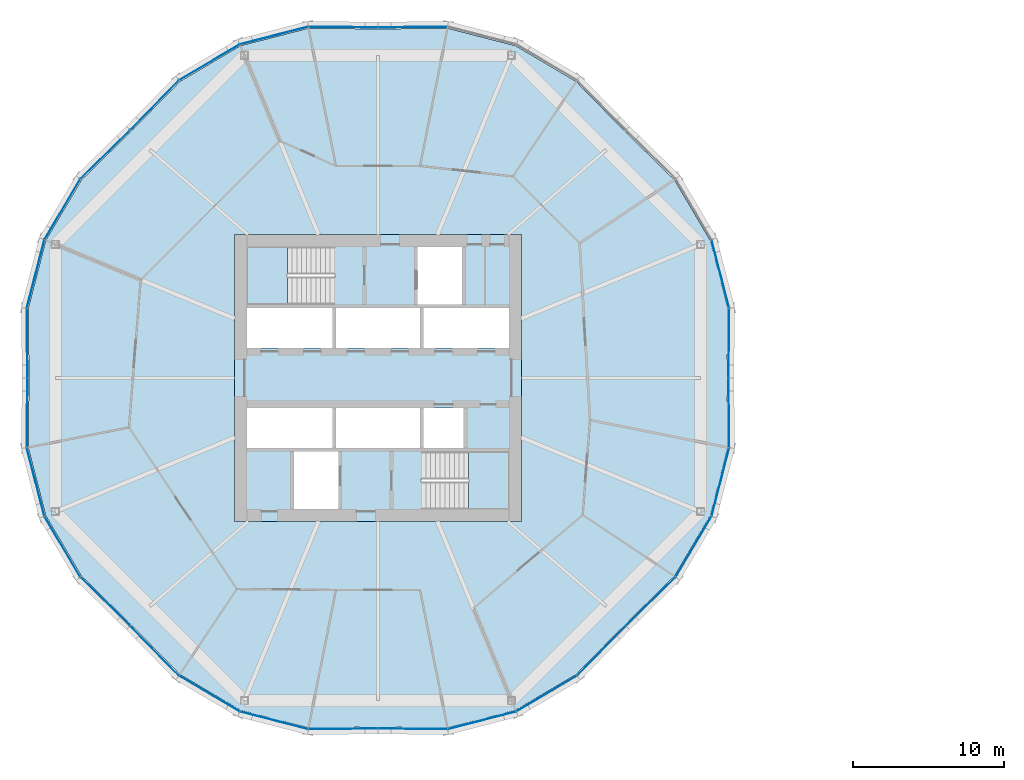
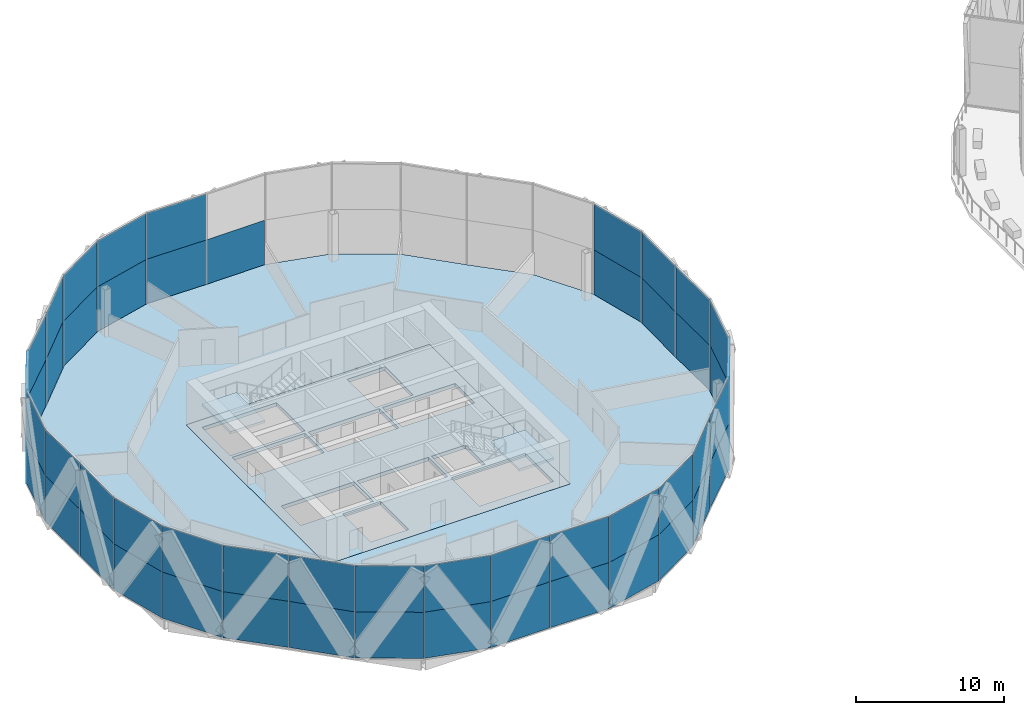
# One storey, part 18 of 31: 53 plates, 4 slabs, 10 elements without a shape of their own.
"""IFC4 building model written with IfcOpenShell, lengths in metres."""

from ifc_helpers import new_model, si_unit, direction, frame, origin, origin_2d, place, context, subcontext, project, spatial, polyline, rectangle, outline, extrude, material, layer, layer_set, type_object, element, aggregate, save


model = new_model("IFC4")

# Units and contexts
model_context = context("Model", 3, precision=1e-05, world=origin(), true_north=direction((0.0, 1.0)))
body_context = subcontext(model_context, "Body", "Model", "MODEL_VIEW")
ifc_project = project(units=[si_unit("LENGTHUNIT", "METRE"), si_unit("AREAUNIT", "SQUARE_METRE"), si_unit("VOLUMEUNIT", "CUBIC_METRE"), si_unit("PLANEANGLEUNIT", "RADIAN"), si_unit("MASSUNIT", "GRAM", prefix="KILO")], contexts=[model_context])

# Site, building, storey
site_placement = place(None, origin())
site = spatial("IfcSite", under=ifc_project, at=site_placement, CompositionType="ELEMENT")
building_placement = place(site_placement, origin())
building = spatial("IfcBuilding", under=site, at=building_placement, Name="Ogive Gate Towers", CompositionType="ELEMENT")
storey_placement = place(building_placement, frame((0.0, 0.0, 107.39990234375)))
storey = spatial("IfcBuildingStorey", under=building, at=storey_placement, Name="L25", CompositionType="ELEMENT", Elevation=107.39990234375)

# Slabs
ifc_material_1 = material(Name="Concrete C40/50", Category="concrete")
ifc_layer_1 = layer(ifc_material_1, 0.300048828125)
ifc_layer_set_1 = layer_set([ifc_layer_1], Name="Core slab C40/50 300 mm")
slab_type_1 = type_object("IfcSlabType", Name="Core slab C40/50 300 mm", PredefinedType="FLOOR", material=ifc_layer_set_1)
slab_1_placement = place(storey_placement, frame((0.0, 0.0, -0.2998046875)))
element("IfcSlab", 1, at=slab_1_placement, inside=storey, type_object=slab_type_1, Name="T1 L25 core slab", PredefinedType="FLOOR", context=body_context, shape_type="SweptSolid", body=[
    extrude(outline(polyline([(-26.5, 9.5), (-26.5, -9.5), (-45.5, -9.5), (-45.5, 9.5), (-26.5, 9.5)]), holes=[polyline([(-39.02490234375, 4.625), (-44.699951171875, 4.625), (-44.699951171875, 2.0), (-39.02490234375, 2.0), (-39.02490234375, 4.625)]), polyline([(-33.22509765625, 2.0), (-33.22509765625, 4.625), (-38.77490234375, 4.625), (-38.77490234375, 2.0), (-33.22509765625, 2.0)]), polyline([(-32.97509765625, 2.0), (-27.300048828125, 2.0), (-27.300048828125, 4.625), (-32.97509765625, 4.625), (-32.97509765625, 2.0)]), polyline([(-44.699951171875, -2.0), (-44.699951171875, -4.625), (-39.02490234375, -4.625), (-39.02490234375, -2.0), (-44.699951171875, -2.0)]), polyline([(-33.22509765625, -2.0), (-38.77490234375, -2.0), (-38.77490234375, -4.625), (-33.22509765625, -4.625), (-33.22509765625, -2.0)]), polyline([(-30.324951171875, -4.625), (-30.324951171875, -2.0), (-32.97509765625, -2.0), (-32.97509765625, -4.625), (-30.324951171875, -4.625)]), polyline([(-33.375, 4.875), (-30.425048828125, 4.875), (-30.425048828125, 8.699951171875), (-33.375, 8.699951171875), (-33.375, 4.875)]), polyline([(-41.574951171875, -4.875), (-41.574951171875, -8.699951171875), (-38.625, -8.699951171875), (-38.625, -4.875), (-41.574951171875, -4.875)]), polyline([(-44.699951171875, 4.875), (-38.885009765625, 4.875), (-38.885009765625, 8.699951171875), (-44.699951171875, 8.699951171875), (-44.699951171875, 4.875)]), polyline([(-27.300048828125, -8.699951171875), (-27.300048828125, -4.875), (-33.114990234375, -4.875), (-33.114990234375, -8.699951171875), (-27.300048828125, -8.699951171875)])]), origin(), (0.0, 0.0, 1.0), 0.2998046875),
])
ifc_material_2 = material(Name="Concrete C35/45", Category="concrete")
ifc_layer_2 = layer(ifc_material_2, 0.300048828125)
ifc_layer_set_2 = layer_set([ifc_layer_2], Name="Floor slab 300")
slab_type_2 = type_object("IfcSlabType", Name="Floor slab 300", PredefinedType="FLOOR", material=ifc_layer_set_2)
slab_2_placement = place(storey_placement, frame((0.0, 0.0, -0.2998046875)))
element("IfcSlab", 2, at=slab_2_placement, inside=storey, type_object=slab_type_2, Name="T1/L25/SSL001", PredefinedType="FLOOR", context=body_context, shape_type="SweptSolid", body=[
    extrude(outline(polyline([(-12.814208984375, -4.61181640625), (-12.860107421875, 0.0), (-12.814208984375, 4.61181640625), (-13.974609375, 9.123291015625), (-16.343994140625, 13.1337890625), (-19.637451171875, 16.362548828125), (-22.8662109375, 19.656005859375), (-26.876708984375, 22.025390625), (-31.38818359375, 23.185791015625), (-36.0, 23.139892578125), (-40.61181640625, 23.185791015625), (-45.123291015625, 22.025390625), (-49.1337890625, 19.656005859375), (-52.362548828125, 16.362548828125), (-55.656005859375, 13.1337890625), (-58.025390625, 9.123291015625), (-59.185791015625, 4.61181640625), (-59.139892578125, 0.0), (-59.185791015625, -4.61181640625), (-58.025390625, -9.123291015625), (-55.656005859375, -13.1337890625), (-52.362548828125, -16.362548828125), (-49.1337890625, -19.656005859375), (-45.123291015625, -22.025390625), (-40.61181640625, -23.185791015625), (-36.0, -23.139892578125), (-31.38818359375, -23.185791015625), (-26.876708984375, -22.025390625), (-22.8662109375, -19.656005859375), (-19.637451171875, -16.362548828125), (-16.343994140625, -13.1337890625), (-13.974609375, -9.123291015625), (-12.814208984375, -4.61181640625)]), holes=[polyline([(-26.5, -9.5), (-45.5, -9.5), (-45.5, 9.5), (-26.5, 9.5), (-26.5, -9.5)])]), origin(), (0.0, 0.0, 1.0), 0.2998046875),
])

# Stair, slab
stair_type = type_object("IfcStairType", Name="Escape stair 1840 wide", PredefinedType="HALF_TURN_STAIR", material=ifc_material_1)
stair_1_placement = place(storey_placement, origin())
stair_1 = element("IfcStair", 3, at=stair_1_placement, inside=storey, type_object=stair_type, Name="L25 Escape stair 1", PredefinedType="HALF_TURN_STAIR")
ifc_layer_3 = layer(ifc_material_1, 0.199951171875)
ifc_layer_set_3 = layer_set([ifc_layer_3], Name="Stair landing 200 mm")
slab_type_3 = type_object("IfcSlabType", Name="Stair landing 200 mm", PredefinedType="LANDING", material=ifc_layer_set_3)
slab_3_placement = place(storey_placement, frame((0.0, 0.0, 1.75)))
slab_3 = element("IfcSlab", 4, at=slab_3_placement, type_object=slab_type_3, Name="ST1 landing 1", PredefinedType="LANDING", context=body_context, shape_type="SweptSolid", body=[
    extrude(outline(polyline([(-42.00146484375, 8.699951171875), (-44.699951171875, 8.699951171875), (-44.699951171875, 4.875), (-42.00146484375, 4.875), (-42.00146484375, 8.699951171875)])), origin(), (0.0, 0.0, 1.0), 0.2001953125),
])
aggregate(stair_1, [slab_3])

stair_2_placement = place(storey_placement, origin())
stair_2 = element("IfcStair", 5, at=stair_2_placement, inside=storey, type_object=stair_type, Name="L25 Escape stair 2", PredefinedType="HALF_TURN_STAIR")
slab_4_placement = place(storey_placement, frame((0.0, 0.0, 1.75)))
slab_4 = element("IfcSlab", 6, at=slab_4_placement, type_object=slab_type_3, Name="ST2 landing 1", PredefinedType="LANDING", context=body_context, shape_type="SweptSolid", body=[
    extrude(outline(polyline([(-29.99853515625, -8.699951171875), (-27.300048828125, -8.699951171875), (-27.300048828125, -4.875), (-29.99853515625, -4.875), (-29.99853515625, -8.699951171875)])), origin(), (0.0, 0.0, 1.0), 0.2001953125),
])
aggregate(stair_2, [slab_4])

# Curtain wall, plates
ifc_material_3 = material(Name="Pale metal aluminium", Category="aluminium")
curtain_wall_type = type_object("IfcCurtainWallType", Name="Tower unitised wall, low zone", PredefinedType="NOTDEFINED", material=ifc_material_3)
curtain_wall_1_placement = place(storey_placement, origin())
curtain_wall_1 = element("IfcCurtainWall", 7, at=curtain_wall_1_placement, inside=storey, type_object=curtain_wall_type, Name="CW1 T1 ECW01", PredefinedType="NOTDEFINED")
ifc_material_4 = material(Name="Clear glass", Category="glass")
ifc_layer_4 = layer(ifc_material_4, 0.028076171875)
ifc_layer_set_4 = layer_set([ifc_layer_4], Name="Tower unitised wall, low zone glass panel")
plate_type = type_object("IfcPlateType", Name="Tower unitised wall, low zone glass panel", PredefinedType="CURTAIN_PANEL", material=ifc_layer_set_4)
plate_1_placement = place(storey_placement, frame((-12.737060546875, 2.31005859375, -0.2041015625), z_axis=(0.0, 0.0, 1.0), x_axis=(0.009930760208, 0.999950688785, 0.0)))
plate_1 = element("IfcPlate", 8, at=plate_1_placement, type_object=plate_type, Name="CW1 glass panel", PredefinedType="CURTAIN_PANEL", context=body_context, shape_type="SweptSolid", body=[
    extrude(rectangle(XDim=4.56640625, YDim=0.028076171875, at=origin_2d()), origin(), (0.0, 0.0, 1.0), 3.803955078125),
])
plate_2_placement = place(storey_placement, frame((-12.737060546875, 2.31005859375, 3.60009765625), z_axis=(0.0, 0.0, 1.0), x_axis=(0.009930760208, 0.999950688785, 0.0)))
plate_2 = element("IfcPlate", 9, at=plate_2_placement, type_object=plate_type, Name="CW1 glass panel", PredefinedType="CURTAIN_PANEL", context=body_context, shape_type="SweptSolid", body=[
    extrude(rectangle(XDim=4.56640625, YDim=0.028076171875, at=origin_2d()), origin(), (0.0, 0.0, 1.0), 3.803955078125),
])
plate_3_placement = place(storey_placement, frame((-13.297607421875, 6.892822265625, -0.2041015625), z_axis=(0.0, 0.0, 1.0), x_axis=(-0.249129390641, 0.968470209515, 0.0)))
plate_3 = element("IfcPlate", 10, at=plate_3_placement, type_object=plate_type, Name="CW1 glass panel", PredefinedType="CURTAIN_PANEL", context=body_context, shape_type="SweptSolid", body=[
    extrude(rectangle(XDim=4.62353515625, YDim=0.028076171875, at=origin_2d()), origin(), (0.0, 0.0, 1.0), 3.803955078125),
])
plate_4_placement = place(storey_placement, frame((-13.297607421875, 6.892822265625, 3.60009765625), z_axis=(0.0, 0.0, 1.0), x_axis=(-0.249129390641, 0.968470209515, 0.0)))
plate_4 = element("IfcPlate", 11, at=plate_4_placement, type_object=plate_type, Name="CW1 glass panel", PredefinedType="CURTAIN_PANEL", context=body_context, shape_type="SweptSolid", body=[
    extrude(rectangle(XDim=4.62353515625, YDim=0.028076171875, at=origin_2d()), origin(), (0.0, 0.0, 1.0), 3.803955078125),
])
aggregate(curtain_wall_1, [plate_1, plate_2, plate_3, plate_4])

# Curtain wall, plate
curtain_wall_2_placement = place(storey_placement, origin())
curtain_wall_2 = element("IfcCurtainWall", 12, at=curtain_wall_2_placement, inside=storey, type_object=curtain_wall_type, Name="CW1 T1 ECW02", PredefinedType="NOTDEFINED")
plate_5_placement = place(storey_placement, frame((-33.68994140625, 23.262939453125, -0.2041015625), z_axis=(0.0, 0.0, 1.0), x_axis=(-0.999950688785, -0.009930760208, 0.0)))
plate_5 = element("IfcPlate", 13, at=plate_5_placement, type_object=plate_type, Name="CW1 glass panel", PredefinedType="CURTAIN_PANEL", context=body_context, shape_type="SweptSolid", body=[
    extrude(rectangle(XDim=4.56640625, YDim=0.028076171875, at=origin_2d()), origin(), (0.0, 0.0, 1.0), 3.803955078125),
])
aggregate(curtain_wall_2, [plate_5])

# Curtain wall, plates
curtain_wall_3_placement = place(storey_placement, origin())
curtain_wall_3 = element("IfcCurtainWall", 14, at=curtain_wall_3_placement, inside=storey, type_object=curtain_wall_type, Name="CW1 T1 ECW03", PredefinedType="NOTDEFINED")
plate_6_placement = place(storey_placement, frame((-38.31005859375, 23.262939453125, -0.2041015625), z_axis=(0.0, 0.0, 1.0), x_axis=(-0.999950688785, 0.009930760208, 0.0)))
plate_6 = element("IfcPlate", 15, at=plate_6_placement, type_object=plate_type, Name="CW1 glass panel", PredefinedType="CURTAIN_PANEL", context=body_context, shape_type="SweptSolid", body=[
    extrude(rectangle(XDim=4.56640625, YDim=0.028076171875, at=origin_2d()), origin(), (0.0, 0.0, 1.0), 3.803955078125),
])
plate_7_placement = place(storey_placement, frame((-38.31005859375, 23.262939453125, 3.60009765625), z_axis=(0.0, 0.0, 1.0), x_axis=(-0.999950688785, 0.009930760208, 0.0)))
plate_7 = element("IfcPlate", 16, at=plate_7_placement, type_object=plate_type, Name="CW1 glass panel", PredefinedType="CURTAIN_PANEL", context=body_context, shape_type="SweptSolid", body=[
    extrude(rectangle(XDim=4.56640625, YDim=0.028076171875, at=origin_2d()), origin(), (0.0, 0.0, 1.0), 3.803955078125),
])
plate_8_placement = place(storey_placement, frame((-42.892822265625, 22.702392578125, -0.2041015625), z_axis=(0.0, 0.0, 1.0), x_axis=(-0.968470209515, -0.249129390641, 0.0)))
plate_8 = element("IfcPlate", 17, at=plate_8_placement, type_object=plate_type, Name="CW1 glass panel", PredefinedType="CURTAIN_PANEL", context=body_context, shape_type="SweptSolid", body=[
    extrude(rectangle(XDim=4.62353515625, YDim=0.028076171875, at=origin_2d()), origin(), (0.0, 0.0, 1.0), 3.803955078125),
])
plate_9_placement = place(storey_placement, frame((-42.892822265625, 22.702392578125, 3.60009765625), z_axis=(0.0, 0.0, 1.0), x_axis=(-0.968470209515, -0.249129390641, 0.0)))
plate_9 = element("IfcPlate", 18, at=plate_9_placement, type_object=plate_type, Name="CW1 glass panel", PredefinedType="CURTAIN_PANEL", context=body_context, shape_type="SweptSolid", body=[
    extrude(rectangle(XDim=4.62353515625, YDim=0.028076171875, at=origin_2d()), origin(), (0.0, 0.0, 1.0), 3.803955078125),
])
plate_10_placement = place(storey_placement, frame((-47.178955078125, 20.927001953125, -0.2041015625), z_axis=(0.0, 0.0, 1.0), x_axis=(-0.860972934041, -0.508650771011, 0.0)))
plate_10 = element("IfcPlate", 19, at=plate_10_placement, type_object=plate_type, Name="CW1 glass panel", PredefinedType="CURTAIN_PANEL", context=body_context, shape_type="SweptSolid", body=[
    extrude(rectangle(XDim=4.623779296875, YDim=0.028076171875, at=origin_2d()), origin(), (0.0, 0.0, 1.0), 3.803955078125),
])
plate_11_placement = place(storey_placement, frame((-47.178955078125, 20.927001953125, 3.60009765625), z_axis=(0.0, 0.0, 1.0), x_axis=(-0.860972934041, -0.508650771011, 0.0)))
plate_11 = element("IfcPlate", 20, at=plate_11_placement, type_object=plate_type, Name="CW1 glass panel", PredefinedType="CURTAIN_PANEL", context=body_context, shape_type="SweptSolid", body=[
    extrude(rectangle(XDim=4.623779296875, YDim=0.028076171875, at=origin_2d()), origin(), (0.0, 0.0, 1.0), 3.803955078125),
])
plate_12_placement = place(storey_placement, frame((-50.81591796875, 18.0830078125, -0.2041015625), z_axis=(0.0, 0.0, 1.0), x_axis=(-0.700062268192, -0.714081802495, 0.0)))
plate_12 = element("IfcPlate", 21, at=plate_12_placement, type_object=plate_type, Name="CW1 glass panel", PredefinedType="CURTAIN_PANEL", context=body_context, shape_type="SweptSolid", body=[
    extrude(rectangle(XDim=4.56640625, YDim=0.028076171875, at=origin_2d()), origin(), (0.0, 0.0, 1.0), 3.803955078125),
])
plate_13_placement = place(storey_placement, frame((-50.81591796875, 18.0830078125, 3.60009765625), z_axis=(0.0, 0.0, 1.0), x_axis=(-0.700062268192, -0.714081802495, 0.0)))
plate_13 = element("IfcPlate", 22, at=plate_13_placement, type_object=plate_type, Name="CW1 glass panel", PredefinedType="CURTAIN_PANEL", context=body_context, shape_type="SweptSolid", body=[
    extrude(rectangle(XDim=4.56640625, YDim=0.028076171875, at=origin_2d()), origin(), (0.0, 0.0, 1.0), 3.803955078125),
])
aggregate(curtain_wall_3, [plate_6, plate_7, plate_8, plate_9, plate_10, plate_11, plate_12, plate_13])

curtain_wall_4_placement = place(storey_placement, origin())
curtain_wall_4 = element("IfcCurtainWall", 23, at=curtain_wall_4_placement, inside=storey, type_object=curtain_wall_type, Name="CW1 T1 ECW04", PredefinedType="NOTDEFINED")
plate_14_placement = place(storey_placement, frame((-54.0830078125, 14.81591796875, -0.2041015625), z_axis=(0.0, 0.0, 1.0), x_axis=(-0.714081802495, -0.700062268192, 0.0)))
plate_14 = element("IfcPlate", 24, at=plate_14_placement, type_object=plate_type, Name="CW1 glass panel", PredefinedType="CURTAIN_PANEL", context=body_context, shape_type="SweptSolid", body=[
    extrude(rectangle(XDim=4.56640625, YDim=0.028076171875, at=origin_2d()), origin(), (0.0, 0.0, 1.0), 3.803955078125),
])
plate_15_placement = place(storey_placement, frame((-54.0830078125, 14.81591796875, 3.60009765625), z_axis=(0.0, 0.0, 1.0), x_axis=(-0.714081802495, -0.700062268192, 0.0)))
plate_15 = element("IfcPlate", 25, at=plate_15_placement, type_object=plate_type, Name="CW1 glass panel", PredefinedType="CURTAIN_PANEL", context=body_context, shape_type="SweptSolid", body=[
    extrude(rectangle(XDim=4.56640625, YDim=0.028076171875, at=origin_2d()), origin(), (0.0, 0.0, 1.0), 3.803955078125),
])
plate_16_placement = place(storey_placement, frame((-56.927001953125, 11.178955078125, -0.2041015625), z_axis=(0.0, 0.0, 1.0), x_axis=(-0.508650771011, -0.860972934041, 0.0)))
plate_16 = element("IfcPlate", 26, at=plate_16_placement, type_object=plate_type, Name="CW1 glass panel", PredefinedType="CURTAIN_PANEL", context=body_context, shape_type="SweptSolid", body=[
    extrude(rectangle(XDim=4.623779296875, YDim=0.028076171875, at=origin_2d()), origin(), (0.0, 0.0, 1.0), 3.803955078125),
])
plate_17_placement = place(storey_placement, frame((-56.927001953125, 11.178955078125, 3.60009765625), z_axis=(0.0, 0.0, 1.0), x_axis=(-0.508650771011, -0.860972934041, 0.0)))
plate_17 = element("IfcPlate", 27, at=plate_17_placement, type_object=plate_type, Name="CW1 glass panel", PredefinedType="CURTAIN_PANEL", context=body_context, shape_type="SweptSolid", body=[
    extrude(rectangle(XDim=4.623779296875, YDim=0.028076171875, at=origin_2d()), origin(), (0.0, 0.0, 1.0), 3.803955078125),
])
plate_18_placement = place(storey_placement, frame((-58.702392578125, 6.892822265625, -0.2041015625), z_axis=(0.0, 0.0, 1.0), x_axis=(-0.249129390641, -0.968470209515, 0.0)))
plate_18 = element("IfcPlate", 28, at=plate_18_placement, type_object=plate_type, Name="CW1 glass panel", PredefinedType="CURTAIN_PANEL", context=body_context, shape_type="SweptSolid", body=[
    extrude(rectangle(XDim=4.62353515625, YDim=0.028076171875, at=origin_2d()), origin(), (0.0, 0.0, 1.0), 3.803955078125),
])
plate_19_placement = place(storey_placement, frame((-58.702392578125, 6.892822265625, 3.60009765625), z_axis=(0.0, 0.0, 1.0), x_axis=(-0.249129390641, -0.968470209515, 0.0)))
plate_19 = element("IfcPlate", 29, at=plate_19_placement, type_object=plate_type, Name="CW1 glass panel", PredefinedType="CURTAIN_PANEL", context=body_context, shape_type="SweptSolid", body=[
    extrude(rectangle(XDim=4.62353515625, YDim=0.028076171875, at=origin_2d()), origin(), (0.0, 0.0, 1.0), 3.803955078125),
])
plate_20_placement = place(storey_placement, frame((-59.262939453125, 2.31005859375, -0.2041015625), z_axis=(0.0, 0.0, 1.0), x_axis=(0.009930760208, -0.999950688785, 0.0)))
plate_20 = element("IfcPlate", 30, at=plate_20_placement, type_object=plate_type, Name="CW1 glass panel", PredefinedType="CURTAIN_PANEL", context=body_context, shape_type="SweptSolid", body=[
    extrude(rectangle(XDim=4.56640625, YDim=0.028076171875, at=origin_2d()), origin(), (0.0, 0.0, 1.0), 3.803955078125),
])
plate_21_placement = place(storey_placement, frame((-59.262939453125, 2.31005859375, 3.60009765625), z_axis=(0.0, 0.0, 1.0), x_axis=(0.009930760208, -0.999950688785, 0.0)))
plate_21 = element("IfcPlate", 31, at=plate_21_placement, type_object=plate_type, Name="CW1 glass panel", PredefinedType="CURTAIN_PANEL", context=body_context, shape_type="SweptSolid", body=[
    extrude(rectangle(XDim=4.56640625, YDim=0.028076171875, at=origin_2d()), origin(), (0.0, 0.0, 1.0), 3.803955078125),
])
aggregate(curtain_wall_4, [plate_14, plate_15, plate_16, plate_17, plate_18, plate_19, plate_20, plate_21])

curtain_wall_5_placement = place(storey_placement, origin())
curtain_wall_5 = element("IfcCurtainWall", 32, at=curtain_wall_5_placement, inside=storey, type_object=curtain_wall_type, Name="CW1 T1 ECW05", PredefinedType="NOTDEFINED")
plate_22_placement = place(storey_placement, frame((-59.262939453125, -2.31005859375, -0.2041015625), z_axis=(0.0, 0.0, 1.0), x_axis=(-0.009930760208, -0.999950688785, 0.0)))
plate_22 = element("IfcPlate", 33, at=plate_22_placement, type_object=plate_type, Name="CW1 glass panel", PredefinedType="CURTAIN_PANEL", context=body_context, shape_type="SweptSolid", body=[
    extrude(rectangle(XDim=4.56640625, YDim=0.028076171875, at=origin_2d()), origin(), (0.0, 0.0, 1.0), 3.803955078125),
])
plate_23_placement = place(storey_placement, frame((-59.262939453125, -2.31005859375, 3.60009765625), z_axis=(0.0, 0.0, 1.0), x_axis=(-0.009930760208, -0.999950688785, 0.0)))
plate_23 = element("IfcPlate", 34, at=plate_23_placement, type_object=plate_type, Name="CW1 glass panel", PredefinedType="CURTAIN_PANEL", context=body_context, shape_type="SweptSolid", body=[
    extrude(rectangle(XDim=4.56640625, YDim=0.028076171875, at=origin_2d()), origin(), (0.0, 0.0, 1.0), 3.803955078125),
])
plate_24_placement = place(storey_placement, frame((-58.702392578125, -6.892822265625, -0.2041015625), z_axis=(0.0, 0.0, 1.0), x_axis=(0.249129390641, -0.968470209515, 0.0)))
plate_24 = element("IfcPlate", 35, at=plate_24_placement, type_object=plate_type, Name="CW1 glass panel", PredefinedType="CURTAIN_PANEL", context=body_context, shape_type="SweptSolid", body=[
    extrude(rectangle(XDim=4.62353515625, YDim=0.028076171875, at=origin_2d()), origin(), (0.0, 0.0, 1.0), 3.803955078125),
])
plate_25_placement = place(storey_placement, frame((-58.702392578125, -6.892822265625, 3.60009765625), z_axis=(0.0, 0.0, 1.0), x_axis=(0.249129390641, -0.968470209515, 0.0)))
plate_25 = element("IfcPlate", 36, at=plate_25_placement, type_object=plate_type, Name="CW1 glass panel", PredefinedType="CURTAIN_PANEL", context=body_context, shape_type="SweptSolid", body=[
    extrude(rectangle(XDim=4.62353515625, YDim=0.028076171875, at=origin_2d()), origin(), (0.0, 0.0, 1.0), 3.803955078125),
])
plate_26_placement = place(storey_placement, frame((-56.927001953125, -11.178955078125, -0.2041015625), z_axis=(0.0, 0.0, 1.0), x_axis=(0.508650771011, -0.860972934041, 0.0)))
plate_26 = element("IfcPlate", 37, at=plate_26_placement, type_object=plate_type, Name="CW1 glass panel", PredefinedType="CURTAIN_PANEL", context=body_context, shape_type="SweptSolid", body=[
    extrude(rectangle(XDim=4.623779296875, YDim=0.028076171875, at=origin_2d()), origin(), (0.0, 0.0, 1.0), 3.803955078125),
])
plate_27_placement = place(storey_placement, frame((-56.927001953125, -11.178955078125, 3.60009765625), z_axis=(0.0, 0.0, 1.0), x_axis=(0.508650771011, -0.860972934041, 0.0)))
plate_27 = element("IfcPlate", 38, at=plate_27_placement, type_object=plate_type, Name="CW1 glass panel", PredefinedType="CURTAIN_PANEL", context=body_context, shape_type="SweptSolid", body=[
    extrude(rectangle(XDim=4.623779296875, YDim=0.028076171875, at=origin_2d()), origin(), (0.0, 0.0, 1.0), 3.803955078125),
])
plate_28_placement = place(storey_placement, frame((-54.0830078125, -14.81591796875, -0.2041015625), z_axis=(0.0, 0.0, 1.0), x_axis=(0.714081802495, -0.700062268192, 0.0)))
plate_28 = element("IfcPlate", 39, at=plate_28_placement, type_object=plate_type, Name="CW1 glass panel", PredefinedType="CURTAIN_PANEL", context=body_context, shape_type="SweptSolid", body=[
    extrude(rectangle(XDim=4.56640625, YDim=0.028076171875, at=origin_2d()), origin(), (0.0, 0.0, 1.0), 3.803955078125),
])
plate_29_placement = place(storey_placement, frame((-54.0830078125, -14.81591796875, 3.60009765625), z_axis=(0.0, 0.0, 1.0), x_axis=(0.714081802495, -0.700062268192, 0.0)))
plate_29 = element("IfcPlate", 40, at=plate_29_placement, type_object=plate_type, Name="CW1 glass panel", PredefinedType="CURTAIN_PANEL", context=body_context, shape_type="SweptSolid", body=[
    extrude(rectangle(XDim=4.56640625, YDim=0.028076171875, at=origin_2d()), origin(), (0.0, 0.0, 1.0), 3.803955078125),
])
aggregate(curtain_wall_5, [plate_22, plate_23, plate_24, plate_25, plate_26, plate_27, plate_28, plate_29])

curtain_wall_6_placement = place(storey_placement, origin())
curtain_wall_6 = element("IfcCurtainWall", 41, at=curtain_wall_6_placement, inside=storey, type_object=curtain_wall_type, Name="CW1 T1 ECW06", PredefinedType="NOTDEFINED")
plate_30_placement = place(storey_placement, frame((-50.81591796875, -18.0830078125, -0.2041015625), z_axis=(0.0, 0.0, 1.0), x_axis=(0.700062268192, -0.714081802495, 0.0)))
plate_30 = element("IfcPlate", 42, at=plate_30_placement, type_object=plate_type, Name="CW1 glass panel", PredefinedType="CURTAIN_PANEL", context=body_context, shape_type="SweptSolid", body=[
    extrude(rectangle(XDim=4.56640625, YDim=0.028076171875, at=origin_2d()), origin(), (0.0, 0.0, 1.0), 3.803955078125),
])
plate_31_placement = place(storey_placement, frame((-50.81591796875, -18.0830078125, 3.60009765625), z_axis=(0.0, 0.0, 1.0), x_axis=(0.700062268192, -0.714081802495, 0.0)))
plate_31 = element("IfcPlate", 43, at=plate_31_placement, type_object=plate_type, Name="CW1 glass panel", PredefinedType="CURTAIN_PANEL", context=body_context, shape_type="SweptSolid", body=[
    extrude(rectangle(XDim=4.56640625, YDim=0.028076171875, at=origin_2d()), origin(), (0.0, 0.0, 1.0), 3.803955078125),
])
plate_32_placement = place(storey_placement, frame((-47.178955078125, -20.927001953125, -0.2041015625), z_axis=(0.0, 0.0, 1.0), x_axis=(0.860972934041, -0.508650771011, 0.0)))
plate_32 = element("IfcPlate", 44, at=plate_32_placement, type_object=plate_type, Name="CW1 glass panel", PredefinedType="CURTAIN_PANEL", context=body_context, shape_type="SweptSolid", body=[
    extrude(rectangle(XDim=4.623779296875, YDim=0.028076171875, at=origin_2d()), origin(), (0.0, 0.0, 1.0), 3.803955078125),
])
plate_33_placement = place(storey_placement, frame((-47.178955078125, -20.927001953125, 3.60009765625), z_axis=(0.0, 0.0, 1.0), x_axis=(0.860972934041, -0.508650771011, 0.0)))
plate_33 = element("IfcPlate", 45, at=plate_33_placement, type_object=plate_type, Name="CW1 glass panel", PredefinedType="CURTAIN_PANEL", context=body_context, shape_type="SweptSolid", body=[
    extrude(rectangle(XDim=4.623779296875, YDim=0.028076171875, at=origin_2d()), origin(), (0.0, 0.0, 1.0), 3.803955078125),
])
plate_34_placement = place(storey_placement, frame((-42.892822265625, -22.702392578125, -0.2041015625), z_axis=(0.0, 0.0, 1.0), x_axis=(0.968470209515, -0.249129390641, 0.0)))
plate_34 = element("IfcPlate", 46, at=plate_34_placement, type_object=plate_type, Name="CW1 glass panel", PredefinedType="CURTAIN_PANEL", context=body_context, shape_type="SweptSolid", body=[
    extrude(rectangle(XDim=4.62353515625, YDim=0.028076171875, at=origin_2d()), origin(), (0.0, 0.0, 1.0), 3.803955078125),
])
plate_35_placement = place(storey_placement, frame((-42.892822265625, -22.702392578125, 3.60009765625), z_axis=(0.0, 0.0, 1.0), x_axis=(0.968470209515, -0.249129390641, 0.0)))
plate_35 = element("IfcPlate", 47, at=plate_35_placement, type_object=plate_type, Name="CW1 glass panel", PredefinedType="CURTAIN_PANEL", context=body_context, shape_type="SweptSolid", body=[
    extrude(rectangle(XDim=4.62353515625, YDim=0.028076171875, at=origin_2d()), origin(), (0.0, 0.0, 1.0), 3.803955078125),
])
plate_36_placement = place(storey_placement, frame((-38.31005859375, -23.262939453125, -0.2041015625), z_axis=(0.0, 0.0, 1.0), x_axis=(0.999950688785, 0.009930760208, 0.0)))
plate_36 = element("IfcPlate", 48, at=plate_36_placement, type_object=plate_type, Name="CW1 glass panel", PredefinedType="CURTAIN_PANEL", context=body_context, shape_type="SweptSolid", body=[
    extrude(rectangle(XDim=4.56640625, YDim=0.028076171875, at=origin_2d()), origin(), (0.0, 0.0, 1.0), 3.803955078125),
])
plate_37_placement = place(storey_placement, frame((-38.31005859375, -23.262939453125, 3.60009765625), z_axis=(0.0, 0.0, 1.0), x_axis=(0.999950688785, 0.009930760208, 0.0)))
plate_37 = element("IfcPlate", 49, at=plate_37_placement, type_object=plate_type, Name="CW1 glass panel", PredefinedType="CURTAIN_PANEL", context=body_context, shape_type="SweptSolid", body=[
    extrude(rectangle(XDim=4.56640625, YDim=0.028076171875, at=origin_2d()), origin(), (0.0, 0.0, 1.0), 3.803955078125),
])
aggregate(curtain_wall_6, [plate_30, plate_31, plate_32, plate_33, plate_34, plate_35, plate_36, plate_37])

curtain_wall_7_placement = place(storey_placement, origin())
curtain_wall_7 = element("IfcCurtainWall", 50, at=curtain_wall_7_placement, inside=storey, type_object=curtain_wall_type, Name="CW1 T1 ECW07", PredefinedType="NOTDEFINED")
plate_38_placement = place(storey_placement, frame((-33.68994140625, -23.262939453125, -0.2041015625), z_axis=(0.0, 0.0, 1.0), x_axis=(0.999950688785, -0.009930760208, 0.0)))
plate_38 = element("IfcPlate", 51, at=plate_38_placement, type_object=plate_type, Name="CW1 glass panel", PredefinedType="CURTAIN_PANEL", context=body_context, shape_type="SweptSolid", body=[
    extrude(rectangle(XDim=4.56640625, YDim=0.028076171875, at=origin_2d()), origin(), (0.0, 0.0, 1.0), 3.803955078125),
])
plate_39_placement = place(storey_placement, frame((-33.68994140625, -23.262939453125, 3.60009765625), z_axis=(0.0, 0.0, 1.0), x_axis=(0.999950688785, -0.009930760208, 0.0)))
plate_39 = element("IfcPlate", 52, at=plate_39_placement, type_object=plate_type, Name="CW1 glass panel", PredefinedType="CURTAIN_PANEL", context=body_context, shape_type="SweptSolid", body=[
    extrude(rectangle(XDim=4.56640625, YDim=0.028076171875, at=origin_2d()), origin(), (0.0, 0.0, 1.0), 3.803955078125),
])
plate_40_placement = place(storey_placement, frame((-29.107177734375, -22.702392578125, -0.2041015625), z_axis=(0.0, 0.0, 1.0), x_axis=(0.968470209515, 0.249129390641, 0.0)))
plate_40 = element("IfcPlate", 53, at=plate_40_placement, type_object=plate_type, Name="CW1 glass panel", PredefinedType="CURTAIN_PANEL", context=body_context, shape_type="SweptSolid", body=[
    extrude(rectangle(XDim=4.62353515625, YDim=0.028076171875, at=origin_2d()), origin(), (0.0, 0.0, 1.0), 3.803955078125),
])
plate_41_placement = place(storey_placement, frame((-29.107177734375, -22.702392578125, 3.60009765625), z_axis=(0.0, 0.0, 1.0), x_axis=(0.968470209515, 0.249129390641, 0.0)))
plate_41 = element("IfcPlate", 54, at=plate_41_placement, type_object=plate_type, Name="CW1 glass panel", PredefinedType="CURTAIN_PANEL", context=body_context, shape_type="SweptSolid", body=[
    extrude(rectangle(XDim=4.62353515625, YDim=0.028076171875, at=origin_2d()), origin(), (0.0, 0.0, 1.0), 3.803955078125),
])
plate_42_placement = place(storey_placement, frame((-24.821044921875, -20.927001953125, -0.2041015625), z_axis=(0.0, 0.0, 1.0), x_axis=(0.860972934041, 0.508650771011, 0.0)))
plate_42 = element("IfcPlate", 55, at=plate_42_placement, type_object=plate_type, Name="CW1 glass panel", PredefinedType="CURTAIN_PANEL", context=body_context, shape_type="SweptSolid", body=[
    extrude(rectangle(XDim=4.623779296875, YDim=0.028076171875, at=origin_2d()), origin(), (0.0, 0.0, 1.0), 3.803955078125),
])
plate_43_placement = place(storey_placement, frame((-24.821044921875, -20.927001953125, 3.60009765625), z_axis=(0.0, 0.0, 1.0), x_axis=(0.860972934041, 0.508650771011, 0.0)))
plate_43 = element("IfcPlate", 56, at=plate_43_placement, type_object=plate_type, Name="CW1 glass panel", PredefinedType="CURTAIN_PANEL", context=body_context, shape_type="SweptSolid", body=[
    extrude(rectangle(XDim=4.623779296875, YDim=0.028076171875, at=origin_2d()), origin(), (0.0, 0.0, 1.0), 3.803955078125),
])
plate_44_placement = place(storey_placement, frame((-21.18408203125, -18.0830078125, -0.2041015625), z_axis=(0.0, 0.0, 1.0), x_axis=(0.700062268192, 0.714081802495, 0.0)))
plate_44 = element("IfcPlate", 57, at=plate_44_placement, type_object=plate_type, Name="CW1 glass panel", PredefinedType="CURTAIN_PANEL", context=body_context, shape_type="SweptSolid", body=[
    extrude(rectangle(XDim=4.56640625, YDim=0.028076171875, at=origin_2d()), origin(), (0.0, 0.0, 1.0), 3.803955078125),
])
plate_45_placement = place(storey_placement, frame((-21.18408203125, -18.0830078125, 3.60009765625), z_axis=(0.0, 0.0, 1.0), x_axis=(0.700062268192, 0.714081802495, 0.0)))
plate_45 = element("IfcPlate", 58, at=plate_45_placement, type_object=plate_type, Name="CW1 glass panel", PredefinedType="CURTAIN_PANEL", context=body_context, shape_type="SweptSolid", body=[
    extrude(rectangle(XDim=4.56640625, YDim=0.028076171875, at=origin_2d()), origin(), (0.0, 0.0, 1.0), 3.803955078125),
])
aggregate(curtain_wall_7, [plate_38, plate_39, plate_40, plate_41, plate_42, plate_43, plate_44, plate_45])

curtain_wall_8_placement = place(storey_placement, origin())
curtain_wall_8 = element("IfcCurtainWall", 59, at=curtain_wall_8_placement, inside=storey, type_object=curtain_wall_type, Name="CW1 T1 ECW08", PredefinedType="NOTDEFINED")
plate_46_placement = place(storey_placement, frame((-17.9169921875, -14.81591796875, -0.2041015625), z_axis=(0.0, 0.0, 1.0), x_axis=(0.714081802495, 0.700062268192, 0.0)))
plate_46 = element("IfcPlate", 60, at=plate_46_placement, type_object=plate_type, Name="CW1 glass panel", PredefinedType="CURTAIN_PANEL", context=body_context, shape_type="SweptSolid", body=[
    extrude(rectangle(XDim=4.56640625, YDim=0.028076171875, at=origin_2d()), origin(), (0.0, 0.0, 1.0), 3.803955078125),
])
plate_47_placement = place(storey_placement, frame((-17.9169921875, -14.81591796875, 3.60009765625), z_axis=(0.0, 0.0, 1.0), x_axis=(0.714081802495, 0.700062268192, 0.0)))
plate_47 = element("IfcPlate", 61, at=plate_47_placement, type_object=plate_type, Name="CW1 glass panel", PredefinedType="CURTAIN_PANEL", context=body_context, shape_type="SweptSolid", body=[
    extrude(rectangle(XDim=4.56640625, YDim=0.028076171875, at=origin_2d()), origin(), (0.0, 0.0, 1.0), 3.803955078125),
])
plate_48_placement = place(storey_placement, frame((-15.072998046875, -11.178955078125, -0.2041015625), z_axis=(0.0, 0.0, 1.0), x_axis=(0.508650771011, 0.860972934041, 0.0)))
plate_48 = element("IfcPlate", 62, at=plate_48_placement, type_object=plate_type, Name="CW1 glass panel", PredefinedType="CURTAIN_PANEL", context=body_context, shape_type="SweptSolid", body=[
    extrude(rectangle(XDim=4.623779296875, YDim=0.028076171875, at=origin_2d()), origin(), (0.0, 0.0, 1.0), 3.803955078125),
])
plate_49_placement = place(storey_placement, frame((-15.072998046875, -11.178955078125, 3.60009765625), z_axis=(0.0, 0.0, 1.0), x_axis=(0.508650771011, 0.860972934041, 0.0)))
plate_49 = element("IfcPlate", 63, at=plate_49_placement, type_object=plate_type, Name="CW1 glass panel", PredefinedType="CURTAIN_PANEL", context=body_context, shape_type="SweptSolid", body=[
    extrude(rectangle(XDim=4.623779296875, YDim=0.028076171875, at=origin_2d()), origin(), (0.0, 0.0, 1.0), 3.803955078125),
])
plate_50_placement = place(storey_placement, frame((-13.297607421875, -6.892822265625, -0.2041015625), z_axis=(0.0, 0.0, 1.0), x_axis=(0.249129390641, 0.968470209515, 0.0)))
plate_50 = element("IfcPlate", 64, at=plate_50_placement, type_object=plate_type, Name="CW1 glass panel", PredefinedType="CURTAIN_PANEL", context=body_context, shape_type="SweptSolid", body=[
    extrude(rectangle(XDim=4.62353515625, YDim=0.028076171875, at=origin_2d()), origin(), (0.0, 0.0, 1.0), 3.803955078125),
])
plate_51_placement = place(storey_placement, frame((-13.297607421875, -6.892822265625, 3.60009765625), z_axis=(0.0, 0.0, 1.0), x_axis=(0.249129390641, 0.968470209515, 0.0)))
plate_51 = element("IfcPlate", 65, at=plate_51_placement, type_object=plate_type, Name="CW1 glass panel", PredefinedType="CURTAIN_PANEL", context=body_context, shape_type="SweptSolid", body=[
    extrude(rectangle(XDim=4.62353515625, YDim=0.028076171875, at=origin_2d()), origin(), (0.0, 0.0, 1.0), 3.803955078125),
])
plate_52_placement = place(storey_placement, frame((-12.737060546875, -2.31005859375, -0.2041015625), z_axis=(0.0, 0.0, 1.0), x_axis=(-0.009930760208, 0.999950688785, 0.0)))
plate_52 = element("IfcPlate", 66, at=plate_52_placement, type_object=plate_type, Name="CW1 glass panel", PredefinedType="CURTAIN_PANEL", context=body_context, shape_type="SweptSolid", body=[
    extrude(rectangle(XDim=4.56640625, YDim=0.028076171875, at=origin_2d()), origin(), (0.0, 0.0, 1.0), 3.803955078125),
])
plate_53_placement = place(storey_placement, frame((-12.737060546875, -2.31005859375, 3.60009765625), z_axis=(0.0, 0.0, 1.0), x_axis=(-0.009930760208, 0.999950688785, 0.0)))
plate_53 = element("IfcPlate", 67, at=plate_53_placement, type_object=plate_type, Name="CW1 glass panel", PredefinedType="CURTAIN_PANEL", context=body_context, shape_type="SweptSolid", body=[
    extrude(rectangle(XDim=4.56640625, YDim=0.028076171875, at=origin_2d()), origin(), (0.0, 0.0, 1.0), 3.803955078125),
])
aggregate(curtain_wall_8, [plate_46, plate_47, plate_48, plate_49, plate_50, plate_51, plate_52, plate_53])

save(model, "model.ifc")
